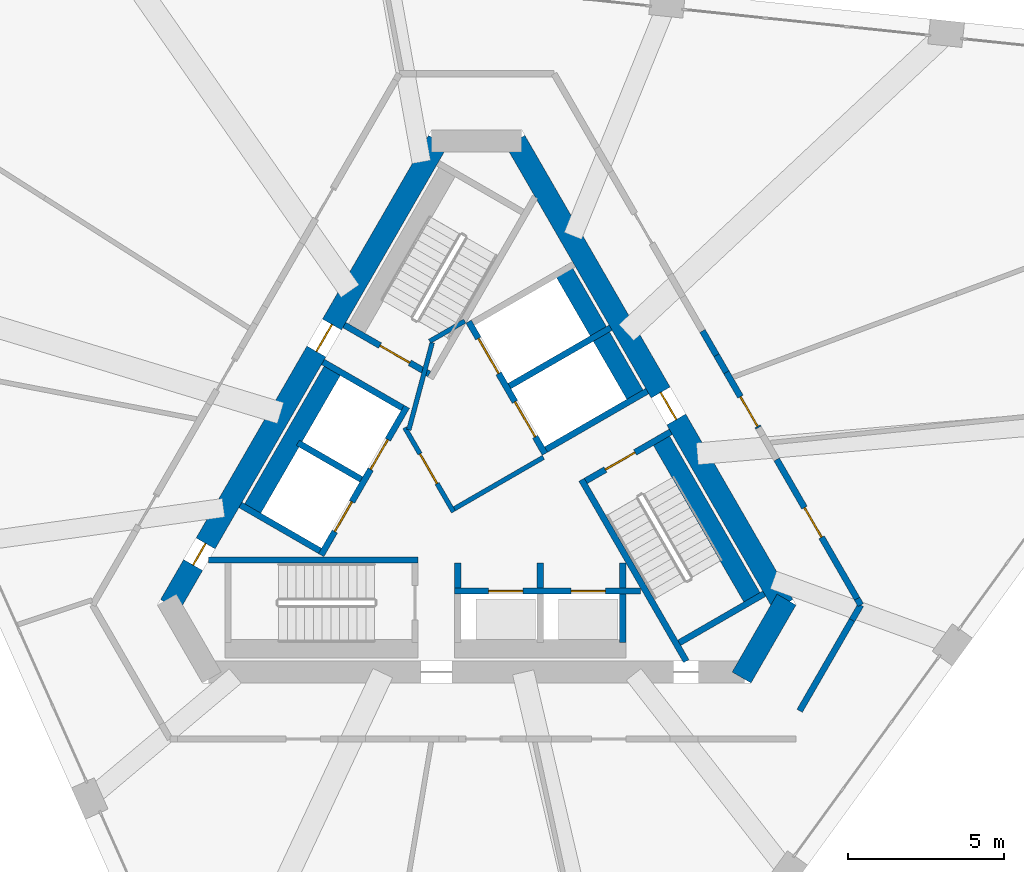
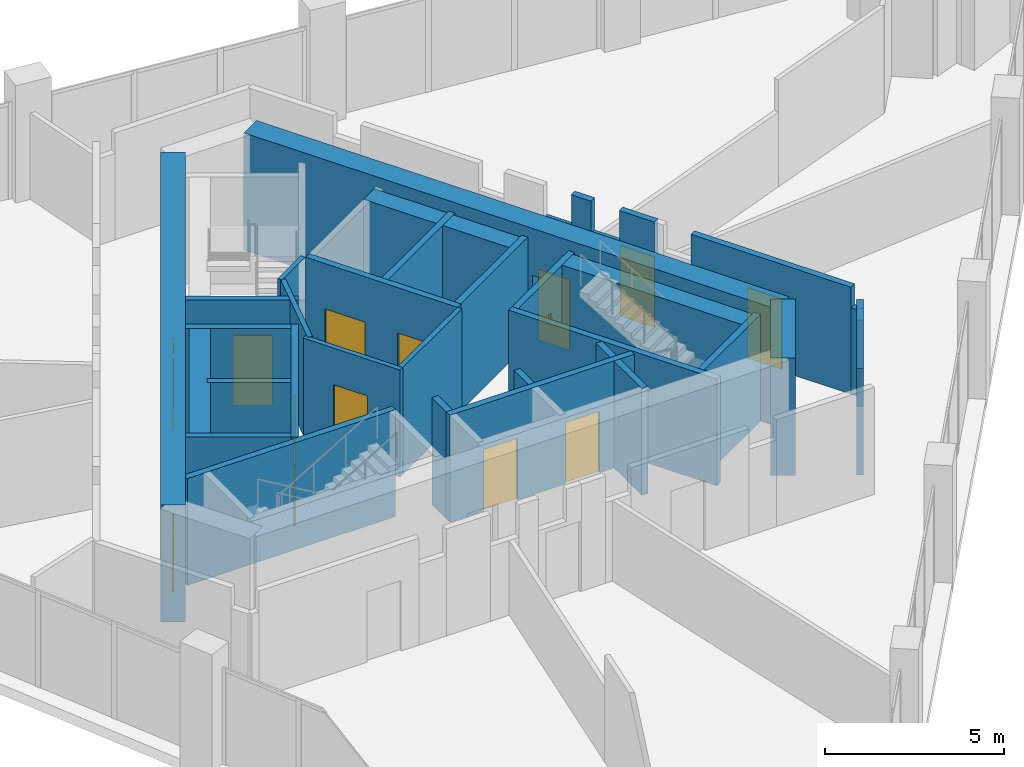
# One storey, part 9 of 15: 34 walls, 14 doors, 14 openings.
"""IFC4 building model written with IfcOpenShell, lengths in metres."""

import ifcopenshell
import ifcopenshell.guid

model = None  # the IFC model being written
_history = None  # IfcOwnerHistory: only IFC2X3 demands one
_inside = {}  # id of a spatial element -> (the spatial element, [elements in it])
_under = {}  # id of a project, library or spatial element -> (it, [spatial elements below it])
_declared = {}  # id of a project -> (the project, [libraries it declares])
_typed = {}  # id of a type object -> (the type object, [elements of that type])
_made_of = {}  # id of a material, layer set ... -> (it, [elements and type objects made of it])


def new_model(schema):
    """Start an empty IFC model of exactly this schema.

    Asked for "IFC4X3", IfcOpenShell would pick the latest addendum, in which some entities
    have other attributes; the version numbers below select the first issue.
    IFC2X3 requires an IfcOwnerHistory on every rooted entity: one is made here for all.
    """
    global model, _history
    if schema == "IFC4X3":
        model = ifcopenshell.file(schema_version=(4, 3, 0, 0))
    else:
        model = ifcopenshell.file(schema=schema)
    _inside.clear()
    _under.clear()
    _declared.clear()
    _typed.clear()
    _made_of.clear()
    _history = None
    if model.schema == "IFC2X3":
        org = make("IfcOrganization", Name="unknown")
        user = make(
            "IfcPersonAndOrganization",
            ThePerson=make("IfcPerson", FamilyName="unknown"),
            TheOrganization=org,
        )
        app = make(
            "IfcApplication",
            ApplicationDeveloper=org,
            Version="unknown",
            ApplicationFullName="unknown",
            ApplicationIdentifier="unknown",
        )
        _history = make(
            "IfcOwnerHistory",
            OwningUser=user,
            OwningApplication=app,
            ChangeAction="ADDED",
            CreationDate=0,
        )
    return model


def make(cls, **values):
    """One entity of the class cls with the attributes given. An attribute that is None is left unset."""
    return model.create_entity(
        cls, **{name: value for name, value in values.items() if value is not None}
    )


def rooted(cls, **values):
    """An entity with a GlobalId (a new one), such as an element, a storey or a relation."""
    return make(cls, GlobalId=ifcopenshell.guid.new(), OwnerHistory=_history, **values)


def si_unit(unit_type, name, prefix=None):
    """IfcSIUnit, for example si_unit("LENGTHUNIT", "METRE", prefix="MILLI")."""
    return make("IfcSIUnit", UnitType=unit_type, Prefix=prefix, Name=name)


def assignment(units):
    """IfcUnitAssignment: the units of a project."""
    return None if units is None else make("IfcUnitAssignment", Units=units)


def point(xyz):
    """IfcCartesianPoint."""
    return None if xyz is None else make("IfcCartesianPoint", Coordinates=xyz)


def direction(xyz):
    """IfcDirection."""
    return None if xyz is None else make("IfcDirection", DirectionRatios=xyz)


def frame(location, z_axis=None, x_axis=None):
    """IfcAxis2Placement3D, a coordinate frame: its origin and axes. An axis left out is left unset."""
    return make(
        "IfcAxis2Placement3D",
        Location=point(location),
        Axis=direction(z_axis),
        RefDirection=direction(x_axis),
    )


def frame_2d(location, x_axis=None):
    """IfcAxis2Placement2D, a coordinate frame in the plane: its origin and x axis."""
    return make(
        "IfcAxis2Placement2D", Location=point(location), RefDirection=direction(x_axis)
    )


def origin():
    """The frame at (0, 0, 0) with its axes left unset."""
    return frame((0.0, 0.0, 0.0))


def place(relative_to, where):
    """IfcLocalPlacement: puts the frame where relative to a parent placement (None: the world)."""
    return make(
        "IfcLocalPlacement", PlacementRelTo=relative_to, RelativePlacement=where
    )


def context(
    kind, dimensions, precision=None, world=None, true_north=None, identifier=None
):
    """IfcGeometricRepresentationContext, for example the 3D "Model" context."""
    return make(
        "IfcGeometricRepresentationContext",
        ContextIdentifier=identifier,
        ContextType=kind,
        CoordinateSpaceDimension=dimensions,
        Precision=precision,
        WorldCoordinateSystem=world,
        TrueNorth=true_north,
    )


def subcontext(parent, identifier, kind, view, scale=None):
    """IfcGeometricRepresentationSubContext, for example "Body" below "Model"."""
    return make(
        "IfcGeometricRepresentationSubContext",
        ContextIdentifier=identifier,
        ContextType=kind,
        ParentContext=parent,
        TargetScale=scale,
        TargetView=view,
    )


def project(units=None, contexts=None):
    """IfcProject with its units and contexts."""
    return rooted(
        "IfcProject",
        Name="project",
        RepresentationContexts=contexts,
        UnitsInContext=assignment(units),
    )


def spatial(cls, under=None, at=None, **own):
    """A site, building, storey or space (cls), placed at a placement, below another one or the project."""
    s = rooted(cls, ObjectPlacement=at, **own)
    if under is not None:
        _under.setdefault(under.id(), (under, []))[1].append(s)
    return s


def polyline(points):
    """IfcPolyline through the points."""
    return make("IfcPolyline", Points=[point(p) for p in points])


def profile(cls, at=None, kind="AREA", **sizes):
    """A parametric profile (cls). Its sizes go by their IFC names, for example OverallWidth=200.0."""
    return make(cls, ProfileType=kind, Position=at, **sizes)


def rectangle(**sizes):
    """IfcRectangleProfileDef."""
    return profile("IfcRectangleProfileDef", **sizes)


def outline(outer, holes=None, kind="AREA"):
    """IfcArbitraryClosedProfileDef: a profile drawn as a closed curve; with holes, ...WithVoids."""
    if holes is None:
        return make("IfcArbitraryClosedProfileDef", ProfileType=kind, OuterCurve=outer)
    return make(
        "IfcArbitraryProfileDefWithVoids",
        ProfileType=kind,
        OuterCurve=outer,
        InnerCurves=holes,
    )


def extrude(swept, where, along, depth):
    """IfcExtrudedAreaSolid: the profile swept, set in the frame where, extruded along a direction by depth."""
    return make(
        "IfcExtrudedAreaSolid",
        SweptArea=swept,
        Position=where,
        ExtrudedDirection=direction(along),
        Depth=depth,
    )


def shape(context_of_items, identifier, shape_type, items):
    """IfcShapeRepresentation: the items that make up one representation, for example the "Body"."""
    return make(
        "IfcShapeRepresentation",
        ContextOfItems=context_of_items,
        RepresentationIdentifier=identifier,
        RepresentationType=shape_type,
        Items=items,
    )


def material(Name=None, Category=None):
    """IfcMaterial."""
    return make("IfcMaterial", Name=Name, Category=Category)


def layer(
    of_material, thickness, ventilated=None, Name=None, Category=None, Priority=None
):
    """IfcMaterialLayer: one layer of a wall or slab, of a material (None: an air gap)."""
    return make(
        "IfcMaterialLayer",
        Material=of_material,
        LayerThickness=thickness,
        IsVentilated=ventilated,
        Name=Name,
        Category=Category,
        Priority=Priority,
    )


def layer_set(layers, Name=None):
    """IfcMaterialLayerSet."""
    return make("IfcMaterialLayerSet", MaterialLayers=layers, LayerSetName=Name)


def made_of(thing, what):
    """Note that an element or type object is made of a material, layer set ...; save() writes the relation."""
    if what is not None:
        _made_of.setdefault(what.id(), (what, []))[1].append(thing)
    return thing


def type_object(cls, material=None, **own):
    """A type object (cls), such as IfcWallType, which elements share."""
    return made_of(rooted(cls, **own), material)


def element(
    cls,
    number,
    at=None,
    inside=None,
    cuts=None,
    type_object=None,
    material=None,
    context=None,
    identifier="Body",
    shape_type=None,
    held_by="IfcProductDefinitionShape",
    body=None,
    shapes=None,
    **own,
):
    """One element of the class cls, such as IfcWall. Its Tag is "e" and its number.

    at: its placement. inside: the storey or other place that contains it. cuts: it is an
    opening in that element (IfcRelVoidsElement). A single representation is given by context,
    identifier, shape_type and body (its items); several are given by shapes. held_by: the class
    of the entity that holds the representations. save() writes the other relations.
    """
    e = rooted(cls, Tag="e%d" % number, ObjectPlacement=at, **own)
    if body is not None:
        shapes = [shape(context, identifier, shape_type, body)]
    if shapes is not None:
        e.Representation = make(held_by, Representations=shapes)
    if inside is not None:
        _inside.setdefault(inside.id(), (inside, []))[1].append(e)
    if cuts is not None:
        rooted(
            "IfcRelVoidsElement", RelatingBuildingElement=cuts, RelatedOpeningElement=e
        )
    if type_object is not None:
        _typed.setdefault(type_object.id(), (type_object, []))[1].append(e)
    return made_of(e, material)


def fill(opening, filler):
    """IfcRelFillsElement: the door or window that sits in an opening."""
    return rooted(
        "IfcRelFillsElement",
        RelatingOpeningElement=opening,
        RelatedBuildingElement=filler,
    )


def aggregate(whole, parts):
    """IfcRelAggregates: a whole, such as a stair, and the parts it consists of."""
    return rooted("IfcRelAggregates", RelatingObject=whole, RelatedObjects=parts)


def save(model, path):
    """Write the relations noted so far, then the file.

    IfcRelAggregates (storeys below a building ...), IfcRelContainedInSpatialStructure (elements
    in a storey), IfcRelDefinesByType, IfcRelAssociatesMaterial and IfcRelDeclares: one each for
    every whole, place, type object, material and project.
    """
    for whole, parts in _under.values():
        aggregate(whole, parts)
    for where, things in _inside.values():
        rooted(
            "IfcRelContainedInSpatialStructure",
            RelatedElements=things,
            RelatingStructure=where,
        )
    for kind, things in _typed.values():
        rooted("IfcRelDefinesByType", RelatedObjects=things, RelatingType=kind)
    for what, things in _made_of.values():
        rooted("IfcRelAssociatesMaterial", RelatedObjects=things, RelatingMaterial=what)
    for by, libraries in _declared.values():
        rooted("IfcRelDeclares", RelatingContext=by, RelatedDefinitions=libraries)
    model.write(path)


model = new_model("IFC4")

# Units and contexts
model_context = context("Model", 3, precision=1e-05, world=origin(), true_north=direction((0.0, 1.0)))
body_context = subcontext(model_context, "Body", "Model", "MODEL_VIEW")
ifc_project = project(units=[si_unit("LENGTHUNIT", "METRE"), si_unit("AREAUNIT", "SQUARE_METRE"), si_unit("VOLUMEUNIT", "CUBIC_METRE"), si_unit("PLANEANGLEUNIT", "RADIAN"), si_unit("MASSUNIT", "GRAM", prefix="KILO")], contexts=[model_context])

# Site, building, storey
site_placement = place(None, origin())
site = spatial("IfcSite", under=ifc_project, at=site_placement, CompositionType="ELEMENT")
building_placement = place(site_placement, origin())
building = spatial("IfcBuilding", under=site, at=building_placement, Name="Tramontana Tower", CompositionType="ELEMENT")
storey_placement = place(building_placement, frame((0.0, 0.0, 237.199951171875)))
storey = spatial("IfcBuildingStorey", under=building, at=storey_placement, Name="L55", CompositionType="ELEMENT", Elevation=237.199951171875)

# Wall, openings, doors
ifc_material_1 = material(Name="Concrete 70 MPa", Category="concrete")
ifc_layer_1 = layer(ifc_material_1, 0.699951171875)
ifc_layer_set_1 = layer_set([ifc_layer_1], Name="Core wall 700 70 MPa")
wall_type_1 = type_object("IfcWallType", Name="Core wall 700 70 MPa", PredefinedType="SHEAR", material=ifc_layer_set_1)
wall_1_placement = place(storey_placement, frame((-1.2412109375, 10.64990234375, 0.0), z_axis=(0.0, 0.0, 1.0), x_axis=(-0.500003331888, -0.866023480109, 0.0)))
wall_1 = element("IfcWall", 1, at=wall_1_placement, inside=storey, type_object=wall_type_1, Name="Core wall C1 L55", PredefinedType="SHEAR", context=body_context, shape_type="SweptSolid", body=[
    extrude(rectangle(XDim=17.205078125, YDim=0.699951171875, at=frame_2d((8.6025390625, 0.0))), origin(), (0.0, 0.0, 1.0), 4.0),
])
opening_1_placement = place(wall_1_placement, frame((6.8076171875, 0.0, 0.0)))
opening_1 = element("IfcOpeningElement", 2, at=opening_1_placement, cuts=wall_1, Name="Opening RG1", PredefinedType="OPENING", context=body_context, shape_type="SweptSolid", body=[
    extrude(rectangle(XDim=1.0, YDim=2.39990234375, at=frame_2d((0.5, 1.199951171875))), frame((0.0, 0.35986328125, 0.0), z_axis=(0.0, -1.0, 0.0), x_axis=(1.0, 0.0, 0.0)), (0.0, 0.0, 1.0), 0.719970703125),
])
opening_2_placement = place(wall_1_placement, frame((14.921630859375, 0.0, 0.0)))
opening_2 = element("IfcOpeningElement", 3, at=opening_2_placement, cuts=wall_1, Name="Opening PD1", PredefinedType="OPENING", context=body_context, shape_type="SweptSolid", body=[
    extrude(rectangle(XDim=0.800048828125, YDim=2.10009765625, at=frame_2d((0.39990234375, 1.050048828125))), frame((0.0, 0.35986328125, 0.0), z_axis=(0.0, -1.0, 0.0), x_axis=(1.0, 0.0, 0.0)), (0.0, 0.0, 1.0), 0.719970703125),
])
ifc_material_2 = material(Name="Painted steel", Category="steel")
door_type_1 = type_object("IfcDoorType", Name="CUPBOARD DOOR 800", OperationType="SINGLE_SWING_LEFT", PredefinedType="DOOR", material=ifc_material_2)
door_1_placement = place(opening_2_placement, origin())
door_1 = element("IfcDoor", 4, at=door_1_placement, inside=storey, type_object=door_type_1, Name="Door PD1", OperationType="SINGLE_SWING_LEFT", OverallHeight=2.10009765625, OverallWidth=0.800048828125, PredefinedType="DOOR", context=body_context, shape_type="SweptSolid", body=[
    extrude(rectangle(XDim=0.800048828125, YDim=2.10009765625, at=frame_2d((0.39990234375, 1.050048828125))), frame((0.0, 0.02490234375, 0.0), z_axis=(0.0, -1.0, 0.0), x_axis=(1.0, 0.0, 0.0)), (0.0, 0.0, 1.0), 0.050048828125),
])
fill(opening_2, door_1)
ifc_material_3 = material(Name="Painted steel", Category="steel")
door_type_2 = type_object("IfcDoorType", Name="RING DOOR 1000", OperationType="SINGLE_SWING_LEFT", PredefinedType="DOOR", material=ifc_material_3)
door_2_placement = place(opening_1_placement, origin())
door_2 = element("IfcDoor", 5, at=door_2_placement, inside=storey, type_object=door_type_2, Name="Door RG1", OperationType="SINGLE_SWING_RIGHT", OverallHeight=2.39990234375, OverallWidth=1.0, PredefinedType="DOOR", context=body_context, shape_type="SweptSolid", body=[
    extrude(rectangle(XDim=1.0, YDim=2.39990234375, at=frame_2d((0.5, 1.199951171875))), frame((0.0, 0.02490234375, 0.0), z_axis=(0.0, -1.0, 0.0), x_axis=(1.0, 0.0, 0.0)), (0.0, 0.0, 1.0), 0.050048828125),
])
fill(opening_1, door_2)

# Wall
wall_2_placement = place(storey_placement, frame((8.50146484375, -6.574951171875, 0.0), z_axis=(0.0, 0.0, 1.0), x_axis=(0.499995765644, 0.866027848477, 0.0)))
element("IfcWall", 6, at=wall_2_placement, inside=storey, type_object=wall_type_1, Name="Core wall C4 L55", PredefinedType="SHEAR", context=body_context, shape_type="SweptSolid", body=[
    extrude(rectangle(XDim=2.88671875, YDim=0.699951171875, at=frame_2d((1.443359375, 0.0))), origin(), (0.0, 0.0, 1.0), 4.0),
])

# Wall, opening, door
wall_3_placement = place(storey_placement, frame((9.84375, -4.25, 0.0), z_axis=(0.0, 0.0, 1.0), x_axis=(-0.500003331888, 0.866023480109, 0.0)))
wall_3 = element("IfcWall", 7, at=wall_3_placement, inside=storey, type_object=wall_type_1, Name="Core wall C5 L55", PredefinedType="SHEAR", context=body_context, shape_type="SweptSolid", body=[
    extrude(rectangle(XDim=17.205078125, YDim=0.699951171875, at=frame_2d((8.6025390625, 0.0))), origin(), (0.0, 0.0, 1.0), 4.0),
])
opening_3_placement = place(wall_3_placement, frame((6.87744140625, 0.0, 0.0)))
opening_3 = element("IfcOpeningElement", 8, at=opening_3_placement, cuts=wall_3, Name="Opening RG3", PredefinedType="OPENING", context=body_context, shape_type="SweptSolid", body=[
    extrude(rectangle(XDim=1.0, YDim=2.39990234375, at=frame_2d((0.5, 1.199951171875))), frame((0.0, 0.35986328125, 0.0), z_axis=(0.0, -1.0, 0.0), x_axis=(1.0, 0.0, 0.0)), (0.0, 0.0, 1.0), 0.719970703125),
])
door_3_placement = place(opening_3_placement, origin())
door_3 = element("IfcDoor", 9, at=door_3_placement, inside=storey, type_object=door_type_2, Name="Door RG3", OperationType="SINGLE_SWING_RIGHT", OverallHeight=2.39990234375, OverallWidth=1.0, PredefinedType="DOOR", context=body_context, shape_type="SweptSolid", body=[
    extrude(rectangle(XDim=1.0, YDim=2.39990234375, at=frame_2d((0.5, 1.199951171875))), frame((0.0, 0.02490234375, 0.0), z_axis=(0.0, -1.0, 0.0), x_axis=(1.0, 0.0, 0.0)), (0.0, 0.0, 1.0), 0.050048828125),
])
fill(opening_3, door_3)

# Walls
ifc_material_4 = material(Name="Blockwork", Category="masonry")
ifc_layer_2 = layer(ifc_material_4, 0.199951171875)
ifc_layer_set_2 = layer_set([ifc_layer_2], Name="ENTRY WALL 200")
wall_type_2 = type_object("IfcWallType", Name="ENTRY WALL 200", PredefinedType="SOLIDWALL", material=ifc_layer_set_2)
wall_4_placement = place(storey_placement, frame((12.326416015625, -4.25, 0.0), z_axis=(0.0, 0.0, 1.0), x_axis=(-0.500000383388, -0.866025182435, 0.0)))
element("IfcWall", 10, at=wall_4_placement, inside=storey, type_object=wall_type_2, Name="Wall ew0-0", PredefinedType="SOLIDWALL", context=body_context, shape_type="SweptSolid", body=[
    extrude(rectangle(XDim=0.5576171875, YDim=0.199951171875, at=frame_2d((0.27880859375, 0.0))), origin(), (0.0, 0.0, 1.0), 2.949951171875),
])
wall_5_placement = place(storey_placement, frame((12.047607421875, -4.73291015625, 0.0), z_axis=(0.0, 0.0, 1.0), x_axis=(-0.500005339912, -0.866022320763, 0.0)))
element("IfcWall", 11, at=wall_5_placement, inside=storey, type_object=wall_type_2, Name="Wall ew0-1", PredefinedType="SOLIDWALL", context=body_context, shape_type="SweptSolid", body=[
    extrude(rectangle(XDim=3.36181640625, YDim=0.199951171875, at=frame_2d((1.680908203125, 0.0))), origin(), (0.0, 0.0, 1.0), 3.650146484375),
])
wall_6_placement = place(storey_placement, frame((7.2470703125, 4.547607421875, 0.0), z_axis=(0.0, 0.0, 1.0), x_axis=(0.499902469156, -0.866081705922, 0.0)))
element("IfcWall", 12, at=wall_6_placement, inside=storey, type_object=wall_type_2, Name="Wall ew5-5", PredefinedType="SOLIDWALL", context=body_context, shape_type="SweptSolid", body=[
    extrude(rectangle(XDim=0.900146484375, YDim=0.199951171875, at=frame_2d((0.4501953125, 0.0))), origin(), (0.0, 0.0, 1.0), 2.550048828125),
])
wall_7_placement = place(storey_placement, frame((7.697021484375, 3.76806640625, 0.0), z_axis=(0.0, 0.0, 1.0), x_axis=(0.50012328804, -0.865954211699, 0.0)))
element("IfcWall", 13, at=wall_7_placement, inside=storey, type_object=wall_type_2, Name="Wall ew5-6", PredefinedType="SOLIDWALL", context=body_context, shape_type="SweptSolid", body=[
    extrude(rectangle(XDim=0.632568359375, YDim=0.199951171875, at=frame_2d((0.31640625, 0.0))), origin(), (0.0, 0.0, 1.0), 3.650146484375),
])

# Wall, opening, door
wall_8_placement = place(storey_placement, frame((8.013427734375, 3.22021484375, 0.0), z_axis=(0.0, 0.0, 1.0), x_axis=(0.500014089762, -0.866017268904, 0.0)))
wall_8 = element("IfcWall", 14, at=wall_8_placement, inside=storey, type_object=wall_type_2, Name="Wall ew5-7", PredefinedType="SOLIDWALL", context=body_context, shape_type="SweptSolid", body=[
    extrude(outline(polyline([(0.0, 0.0), (2.05322265625, 0.0), (2.05322265625, 3.650146484375), (0.917236328125, 3.650146484375), (0.917236328125, 2.550048828125), (0.0, 2.550048828125), (0.0, 0.0)])), frame((0.0, 0.10009765625, 0.0), z_axis=(0.0, -1.0, 0.0), x_axis=(1.0, 0.0, 0.0)), (0.0, 0.0, 1.0), 0.199951171875),
])
opening_4_placement = place(wall_8_placement, frame((0.903076171875, 0.0, 0.0)))
opening_4 = element("IfcOpeningElement", 15, at=opening_4_placement, cuts=wall_8, Name="Opening L55-09", PredefinedType="OPENING", context=body_context, shape_type="SweptSolid", body=[
    extrude(rectangle(XDim=1.10009765625, YDim=2.39990234375, at=frame_2d((0.550048828125, 1.199951171875))), frame((0.0, 0.10986328125, 0.0), z_axis=(0.0, -1.0, 0.0), x_axis=(1.0, 0.0, 0.0)), (0.0, 0.0, 1.0), 0.219970703125),
])
ifc_material_5 = material(Name="Painted timber", Category="wood")
door_type_3 = type_object("IfcDoorType", Name="DOOR ENTRY 1100", OperationType="SINGLE_SWING_LEFT", PredefinedType="DOOR", material=ifc_material_5)
door_4_placement = place(opening_4_placement, origin())
door_4 = element("IfcDoor", 16, at=door_4_placement, inside=storey, type_object=door_type_3, Name="Door L55-09", OperationType="SINGLE_SWING_LEFT", OverallHeight=2.39990234375, OverallWidth=1.10009765625, PredefinedType="DOOR", context=body_context, shape_type="SweptSolid", body=[
    extrude(rectangle(XDim=1.10009765625, YDim=2.39990234375, at=frame_2d((0.550048828125, 1.199951171875))), frame((0.0, 0.02490234375, 0.0), z_axis=(0.0, -1.0, 0.0), x_axis=(1.0, 0.0, 0.0)), (0.0, 0.0, 1.0), 0.050048828125),
])
fill(opening_4, door_4)

wall_9_placement = place(storey_placement, frame((9.628662109375, 0.4228515625, 0.0), z_axis=(0.0, 0.0, 1.0), x_axis=(0.499995433041, -0.866028040503, 0.0)))
wall_9 = element("IfcWall", 17, at=wall_9_placement, inside=storey, type_object=wall_type_2, Name="Wall ew5-10", PredefinedType="SOLIDWALL", context=body_context, shape_type="SweptSolid", body=[
    extrude(rectangle(XDim=5.1611328125, YDim=0.199951171875, at=frame_2d((2.58056640625, 0.0))), origin(), (0.0, 0.0, 1.0), 3.650146484375),
])
opening_5_placement = place(wall_9_placement, frame((1.784912109375, 0.0, 0.0)))
opening_5 = element("IfcOpeningElement", 18, at=opening_5_placement, cuts=wall_9, Name="Opening L55-08", PredefinedType="OPENING", context=body_context, shape_type="SweptSolid", body=[
    extrude(rectangle(XDim=1.10009765625, YDim=2.39990234375, at=frame_2d((0.550048828125, 1.199951171875))), frame((0.0, 0.10986328125, 0.0), z_axis=(0.0, -1.0, 0.0), x_axis=(1.0, 0.0, 0.0)), (0.0, 0.0, 1.0), 0.219970703125),
])
door_5_placement = place(opening_5_placement, origin())
door_5 = element("IfcDoor", 19, at=door_5_placement, inside=storey, type_object=door_type_3, Name="Door L55-08", OperationType="SINGLE_SWING_RIGHT", OverallHeight=2.39990234375, OverallWidth=1.10009765625, PredefinedType="DOOR", context=body_context, shape_type="SweptSolid", body=[
    extrude(rectangle(XDim=1.10009765625, YDim=2.39990234375, at=frame_2d((0.550048828125, 1.199951171875))), frame((0.0, 0.02490234375, 0.0), z_axis=(0.0, -1.0, 0.0), x_axis=(1.0, 0.0, 0.0)), (0.0, 0.0, 1.0), 0.050048828125),
])
fill(opening_5, door_5)

# Wall
wall_10_placement = place(storey_placement, frame((12.209228515625, -4.046875, 0.0), z_axis=(0.0, 0.0, 1.0), x_axis=(0.49972245349, -0.866185586049, 0.0)))
element("IfcWall", 20, at=wall_10_placement, inside=storey, type_object=wall_type_2, Name="Wall ew5-11", PredefinedType="SOLIDWALL", context=body_context, shape_type="SweptSolid", body=[
    extrude(rectangle(XDim=0.234619140625, YDim=0.199951171875, at=frame_2d((0.1171875, 0.0))), origin(), (0.0, 0.0, 1.0), 2.949951171875),
])

# Wall, opening, door
ifc_material_6 = material(Name="Gypsum board partition")
ifc_layer_3 = layer(ifc_material_6, 0.14990234375)
ifc_layer_set_3 = layer_set([ifc_layer_3], Name="PARTITION 150")
wall_type_3 = type_object("IfcWallType", Name="PARTITION 150", PredefinedType="PARTITIONING", material=ifc_layer_set_3)
wall_11_placement = place(storey_placement, frame((-0.744140625, -1.260986328125, 0.0), z_axis=(0.0, 0.0, 1.0), x_axis=(-0.500004234368, 0.866022959057, 0.0)))
wall_11 = element("IfcWall", 21, at=wall_11_placement, inside=storey, type_object=wall_type_3, Name="Wall ff-front", PredefinedType="PARTITIONING", context=body_context, shape_type="SweptSolid", body=[
    extrude(rectangle(XDim=3.125, YDim=0.14990234375, at=frame_2d((1.5625, 0.0))), origin(), (0.0, 0.0, 1.0), 3.650146484375),
])
opening_6_placement = place(wall_11_placement, frame((1.050048828125, 0.0, 0.0)))
opening_6 = element("IfcOpeningElement", 22, at=opening_6_placement, cuts=wall_11, Name="Opening FD1", PredefinedType="OPENING", context=body_context, shape_type="SweptSolid", body=[
    extrude(rectangle(XDim=1.10009765625, YDim=2.39990234375, at=frame_2d((0.550048828125, 1.199951171875))), frame((0.0, 0.0849609375, 0.0), z_axis=(0.0, -1.0, 0.0), x_axis=(1.0, 0.0, 0.0)), (0.0, 0.0, 1.0), 0.169921875),
])
door_6_placement = place(opening_6_placement, origin())
door_6 = element("IfcDoor", 23, at=door_6_placement, inside=storey, type_object=door_type_3, Name="Door FD1", OperationType="SINGLE_SWING_LEFT", OverallHeight=2.39990234375, OverallWidth=1.10009765625, PredefinedType="DOOR", context=body_context, shape_type="SweptSolid", body=[
    extrude(rectangle(XDim=1.10009765625, YDim=2.39990234375, at=frame_2d((0.550048828125, 1.199951171875))), frame((0.0, 0.02490234375, 0.0), z_axis=(0.0, -1.0, 0.0), x_axis=(1.0, 0.0, 0.0)), (0.0, 0.0, 1.0), 0.050048828125),
])
fill(opening_6, door_6)

# Walls
wall_12_placement = place(storey_placement, frame((-0.716796875, -1.15869140625, 0.0), z_axis=(0.0, 0.0, 1.0), x_axis=(0.866008176907, 0.50002983664, 0.0)))
element("IfcWall", 24, at=wall_12_placement, inside=storey, type_object=wall_type_3, Name="Wall ff-end0", PredefinedType="PARTITIONING", context=body_context, shape_type="SweptSolid", body=[
    extrude(rectangle(XDim=3.300048828125, YDim=0.14990234375, at=frame_2d((1.64990234375, 0.0))), origin(), (0.0, 0.0, 1.0), 3.650146484375),
])
wall_13_placement = place(storey_placement, frame((-2.177978515625, 1.372314453125, 0.0), z_axis=(0.0, 0.0, 1.0), x_axis=(0.258808958833, 0.96592852884, 0.0)))
element("IfcWall", 25, at=wall_13_placement, inside=storey, type_object=wall_type_3, Name="Wall ff-diag", PredefinedType="PARTITIONING", context=body_context, shape_type="SweptSolid", body=[
    extrude(rectangle(XDim=2.902587890625, YDim=0.14990234375, at=frame_2d((1.451171875, 0.0))), origin(), (0.0, 0.0, 1.0), 3.650146484375),
])
wall_14_placement = place(storey_placement, frame((-1.509765625, 4.21484375, 0.0), z_axis=(0.0, 0.0, 1.0), x_axis=(0.866085525409, 0.49989585183, 0.0)))
element("IfcWall", 26, at=wall_14_placement, inside=storey, type_object=wall_type_3, Name="Wall ff-end1", PredefinedType="PARTITIONING", context=body_context, shape_type="SweptSolid", body=[
    extrude(rectangle(XDim=1.300048828125, YDim=0.14990234375, at=frame_2d((0.64990234375, 0.0))), origin(), (0.0, 0.0, 1.0), 3.650146484375),
])
ifc_material_7 = material(Name="Concrete 70 MPa", Category="concrete")
ifc_layer_4 = layer(ifc_material_7, 0.60009765625)
ifc_layer_set_4 = layer_set([ifc_layer_4], Name="Concrete 70 MPa, 600 mm")
wall_type_4 = type_object("IfcWallType", Name="RC SHAFT BACK WALL 600", PredefinedType="SOLIDWALL", material=ifc_layer_set_4)
wall_15_placement = place(storey_placement, frame((8.93310546875, -4.17236328125, 0.0), z_axis=(0.0, 0.0, 1.0), x_axis=(-0.500026960575, 0.86600983753, 0.0)))
element("IfcWall", 27, at=wall_15_placement, inside=storey, type_object=wall_type_4, Name="Wall st3-back", PredefinedType="SOLIDWALL", context=body_context, shape_type="SweptSolid", body=[
    extrude(rectangle(XDim=6.199951171875, YDim=0.60009765625, at=frame_2d((3.10009765625, 0.0))), origin(), (0.0, 0.0, 1.0), 3.650146484375),
])
wall_16_placement = place(storey_placement, frame((-4.5380859375, 3.43994140625, 0.0), z_axis=(0.0, 0.0, 1.0), x_axis=(-0.499996545922, -0.866027397988, 0.0)))
element("IfcWall", 28, at=wall_16_placement, inside=storey, type_object=wall_type_4, Name="Wall row0-back", PredefinedType="SOLIDWALL", context=body_context, shape_type="SweptSolid", body=[
    extrude(rectangle(XDim=5.5, YDim=0.60009765625, at=frame_2d((2.75, 0.0))), origin(), (0.0, 0.0, 1.0), 3.650146484375),
])
wall_17_placement = place(storey_placement, frame((5.177978515625, 2.331298828125, 0.0), z_axis=(0.0, 0.0, 1.0), x_axis=(-0.49998122708, 0.866036242063, 0.0)))
element("IfcWall", 29, at=wall_17_placement, inside=storey, type_object=wall_type_4, Name="Wall row2-back", PredefinedType="SOLIDWALL", context=body_context, shape_type="SweptSolid", body=[
    extrude(rectangle(XDim=4.900146484375, YDim=0.60009765625, at=frame_2d((2.4501953125, 0.0))), origin(), (0.0, 0.0, 1.0), 3.650146484375),
])

# Wall, opening, door
ifc_material_8 = material(Name="Concrete 70 MPa", Category="concrete")
ifc_layer_5 = layer(ifc_material_8, 0.199951171875)
ifc_layer_set_5 = layer_set([ifc_layer_5], Name="Concrete 70 MPa, 200 mm")
wall_type_5 = type_object("IfcWallType", Name="RC STAIR AND SHAFT WALL 200", PredefinedType="SOLIDWALL", material=ifc_layer_set_5)
wall_18_placement = place(storey_placement, frame((-1.521484375, 3.164794921875, 0.0), z_axis=(0.0, 0.0, 1.0), x_axis=(-0.866035871367, 0.499981869177, 0.0)))
wall_18 = element("IfcWall", 30, at=wall_18_placement, inside=storey, type_object=wall_type_5, Name="Wall st1-near", PredefinedType="SOLIDWALL", context=body_context, shape_type="SweptSolid", body=[
    extrude(rectangle(XDim=3.14990234375, YDim=0.199951171875, at=frame_2d((1.574951171875, 0.0))), origin(), (0.0, 0.0, 1.0), 3.650146484375),
])
opening_7_placement = place(wall_18_placement, frame((0.72509765625, 0.0, 0.0)))
opening_7 = element("IfcOpeningElement", 31, at=opening_7_placement, cuts=wall_18, Name="Opening SD1", PredefinedType="OPENING", context=body_context, shape_type="SweptSolid", body=[
    extrude(rectangle(XDim=1.10009765625, YDim=2.39990234375, at=frame_2d((0.550048828125, 1.199951171875))), frame((0.0, 0.10986328125, 0.0), z_axis=(0.0, -1.0, 0.0), x_axis=(1.0, 0.0, 0.0)), (0.0, 0.0, 1.0), 0.219970703125),
])
ifc_material_9 = material(Name="Painted steel", Category="steel")
door_type_4 = type_object("IfcDoorType", Name="STAIR DOOR 1100", OperationType="SINGLE_SWING_LEFT", PredefinedType="DOOR", material=ifc_material_9)
door_7_placement = place(opening_7_placement, origin())
door_7 = element("IfcDoor", 32, at=door_7_placement, inside=storey, type_object=door_type_4, Name="Door SD1", OperationType="SINGLE_SWING_RIGHT", OverallHeight=2.39990234375, OverallWidth=1.10009765625, PredefinedType="DOOR", context=body_context, shape_type="SweptSolid", body=[
    extrude(rectangle(XDim=1.10009765625, YDim=2.39990234375, at=frame_2d((0.550048828125, 1.199951171875))), frame((0.0, 0.02490234375, 0.0), z_axis=(0.0, -1.0, 0.0), x_axis=(1.0, 0.0, 0.0)), (0.0, 0.0, 1.0), 0.050048828125),
])
fill(opening_7, door_7)

# Walls
for number, where, z_axis, x_axis, name in (
    (33, (-8.6025390625, -2.800048828125, 0.0), (0.0, 0.0, 1.0), (1.0, 0.0, 0.0), "Wall st2-front"),
    (34, (6.72607421875, -6.050048828125, 0.0), (0.0, 0.0, 1.0), (-0.499970804718, 0.866042259032, 0.0), "Wall st3-front"),
):
    element("IfcWall", number, at=place(storey_placement, frame(where, z_axis=z_axis, x_axis=x_axis)), inside=storey, type_object=wall_type_5, Name=name, PredefinedType="SOLIDWALL", context=body_context, shape_type="SweptSolid", body=[
        extrude(rectangle(XDim=6.72265625, YDim=0.199951171875, at=frame_2d((3.361328125, 0.0))), origin(), (0.0, 0.0, 1.0), 3.650146484375),
    ])
wall_19_placement = place(storey_placement, frame((6.50146484375, -5.4609375, 0.0), z_axis=(0.0, 0.0, 1.0), x_axis=(0.866035871367, 0.499981869177, 0.0)))
element("IfcWall", 35, at=wall_19_placement, inside=storey, type_object=wall_type_5, Name="Wall st3-far", PredefinedType="SOLIDWALL", context=body_context, shape_type="SweptSolid", body=[
    extrude(rectangle(XDim=3.14990234375, YDim=0.199951171875, at=frame_2d((1.574951171875, 0.0))), origin(), (0.0, 0.0, 1.0), 3.650146484375),
])

# Wall, opening, door
wall_20_placement = place(storey_placement, frame((3.50146484375, -0.2646484375, 0.0), z_axis=(0.0, 0.0, 1.0), x_axis=(0.866035871367, 0.499981869177, 0.0)))
wall_20 = element("IfcWall", 36, at=wall_20_placement, inside=storey, type_object=wall_type_5, Name="Wall st3-near", PredefinedType="SOLIDWALL", context=body_context, shape_type="SweptSolid", body=[
    extrude(rectangle(XDim=3.14990234375, YDim=0.199951171875, at=frame_2d((1.574951171875, 0.0))), origin(), (0.0, 0.0, 1.0), 3.650146484375),
])
opening_8_placement = place(wall_20_placement, frame((0.72509765625, 0.0, 0.0)))
opening_8 = element("IfcOpeningElement", 37, at=opening_8_placement, cuts=wall_20, Name="Opening SD3", PredefinedType="OPENING", context=body_context, shape_type="SweptSolid", body=[
    extrude(rectangle(XDim=1.10009765625, YDim=2.39990234375, at=frame_2d((0.550048828125, 1.199951171875))), frame((0.0, 0.10986328125, 0.0), z_axis=(0.0, -1.0, 0.0), x_axis=(1.0, 0.0, 0.0)), (0.0, 0.0, 1.0), 0.219970703125),
])
door_8_placement = place(opening_8_placement, origin())
door_8 = element("IfcDoor", 38, at=door_8_placement, inside=storey, type_object=door_type_4, Name="Door SD3", OperationType="SINGLE_SWING_RIGHT", OverallHeight=2.39990234375, OverallWidth=1.10009765625, PredefinedType="DOOR", context=body_context, shape_type="SweptSolid", body=[
    extrude(rectangle(XDim=1.10009765625, YDim=2.39990234375, at=frame_2d((0.550048828125, 1.199951171875))), frame((0.0, 0.02490234375, 0.0), z_axis=(0.0, -1.0, 0.0), x_axis=(1.0, 0.0, 0.0)), (0.0, 0.0, 1.0), 0.050048828125),
])
fill(opening_8, door_8)

# Wall, openings, doors
wall_21_placement = place(storey_placement, frame((-2.2431640625, 2.114990234375, 0.0), z_axis=(0.0, 0.0, 1.0), x_axis=(-0.499996545922, -0.866027397988, 0.0)))
wall_21 = element("IfcWall", 39, at=wall_21_placement, inside=storey, type_object=wall_type_5, Name="Wall row0-front", PredefinedType="SOLIDWALL", context=body_context, shape_type="SweptSolid", body=[
    extrude(rectangle(XDim=5.5, YDim=0.199951171875, at=frame_2d((2.75, 0.0))), origin(), (0.0, 0.0, 1.0), 3.650146484375),
])
opening_9_placement = place(wall_21_placement, frame((1.219970703125, 0.0, 0.0)))
opening_9 = element("IfcOpeningElement", 40, at=opening_9_placement, cuts=wall_21, Name="Opening LD-P1", PredefinedType="OPENING", context=body_context, shape_type="SweptSolid", body=[
    extrude(rectangle(XDim=1.10009765625, YDim=2.10009765625, at=frame_2d((0.550048828125, 1.050048828125))), frame((0.0, 0.10986328125, 0.0), z_axis=(0.0, -1.0, 0.0), x_axis=(1.0, 0.0, 0.0)), (0.0, 0.0, 1.0), 0.219970703125),
])
opening_10_placement = place(wall_21_placement, frame((3.52490234375, 0.0, 0.0)))
opening_10 = element("IfcOpeningElement", 41, at=opening_10_placement, cuts=wall_21, Name="Opening LD-P2", PredefinedType="OPENING", context=body_context, shape_type="SweptSolid", body=[
    extrude(rectangle(XDim=1.10009765625, YDim=2.10009765625, at=frame_2d((0.550048828125, 1.050048828125))), frame((0.0, 0.10986328125, 0.0), z_axis=(0.0, -1.0, 0.0), x_axis=(1.0, 0.0, 0.0)), (0.0, 0.0, 1.0), 0.219970703125),
])
ifc_material_10 = material(Name="Brushed steel", Category="steel")
door_type_5 = type_object("IfcDoorType", Name="LANDING DOOR 1100", OperationType="SINGLE_SWING_LEFT", PredefinedType="DOOR", material=ifc_material_10)
door_9_placement = place(opening_9_placement, origin())
door_9 = element("IfcDoor", 42, at=door_9_placement, inside=storey, type_object=door_type_5, Name="Door LD-P1", OperationType="SLIDING_TO_LEFT", OverallHeight=2.10009765625, OverallWidth=1.10009765625, PredefinedType="DOOR", context=body_context, shape_type="SweptSolid", body=[
    extrude(rectangle(XDim=1.10009765625, YDim=2.10009765625, at=frame_2d((0.550048828125, 1.050048828125))), frame((0.0, 0.02490234375, 0.0), z_axis=(0.0, -1.0, 0.0), x_axis=(1.0, 0.0, 0.0)), (0.0, 0.0, 1.0), 0.050048828125),
])
fill(opening_9, door_9)
door_10_placement = place(opening_10_placement, origin())
door_10 = element("IfcDoor", 43, at=door_10_placement, inside=storey, type_object=door_type_5, Name="Door LD-P2", OperationType="SLIDING_TO_RIGHT", OverallHeight=2.10009765625, OverallWidth=1.10009765625, PredefinedType="DOOR", context=body_context, shape_type="SweptSolid", body=[
    extrude(rectangle(XDim=1.10009765625, YDim=2.10009765625, at=frame_2d((0.550048828125, 1.050048828125))), frame((0.0, 0.02490234375, 0.0), z_axis=(0.0, -1.0, 0.0), x_axis=(1.0, 0.0, 0.0)), (0.0, 0.0, 1.0), 0.050048828125),
])
fill(opening_10, door_10)

# Walls
wall_22_placement = place(storey_placement, frame((-2.379638671875, 2.078369140625, 0.0), z_axis=(0.0, 0.0, 1.0), x_axis=(-0.866060182126, 0.499939757307, 0.0)))
element("IfcWall", 44, at=wall_22_placement, inside=storey, type_object=wall_type_5, Name="Wall row0-side0", PredefinedType="SOLIDWALL", context=body_context, shape_type="SweptSolid", body=[
    extrude(rectangle(XDim=2.949951171875, YDim=0.199951171875, at=frame_2d((1.47509765625, 0.0))), origin(), (0.0, 0.0, 1.0), 3.650146484375),
])
wall_23_placement = place(storey_placement, frame((-3.70458984375, -0.216796875, 0.0), z_axis=(0.0, 0.0, 1.0), x_axis=(-0.866016039709, 0.500016218704, 0.0)))
element("IfcWall", 45, at=wall_23_placement, inside=storey, type_object=wall_type_5, Name="Wall row0-side1", PredefinedType="SOLIDWALL", context=body_context, shape_type="SweptSolid", body=[
    extrude(rectangle(XDim=2.35009765625, YDim=0.199951171875, at=frame_2d((1.175048828125, 0.0))), origin(), (0.0, 0.0, 1.0), 3.650146484375),
])
wall_24_placement = place(storey_placement, frame((-5.02978515625, -2.51171875, 0.0), z_axis=(0.0, 0.0, 1.0), x_axis=(-0.866003658127, 0.500037662692, 0.0)))
element("IfcWall", 46, at=wall_24_placement, inside=storey, type_object=wall_type_5, Name="Wall row0-side2", PredefinedType="SOLIDWALL", context=body_context, shape_type="SweptSolid", body=[
    extrude(rectangle(XDim=2.949951171875, YDim=0.199951171875, at=frame_2d((1.47509765625, 0.0))), origin(), (0.0, 0.0, 1.0), 3.650146484375),
])

# Wall, openings, doors
wall_25_placement = place(storey_placement, frame((-0.7099609375, -3.800048828125, 0.0), z_axis=(0.0, 0.0, 1.0), x_axis=(1.0, 0.0, 0.0)))
wall_25 = element("IfcWall", 47, at=wall_25_placement, inside=storey, type_object=wall_type_5, Name="Wall row1-front", PredefinedType="SOLIDWALL", context=body_context, shape_type="SweptSolid", body=[
    extrude(rectangle(XDim=5.96142578125, YDim=0.199951171875, at=frame_2d((2.980712890625, 0.0))), origin(), (0.0, 0.0, 1.0), 3.650146484375),
])
opening_11_placement = place(wall_25_placement, frame((1.090087890625, 0.0, 0.0)))
opening_11 = element("IfcOpeningElement", 48, at=opening_11_placement, cuts=wall_25, Name="Opening LD-S1", PredefinedType="OPENING", context=body_context, shape_type="SweptSolid", body=[
    extrude(rectangle(XDim=1.10009765625, YDim=2.10009765625, at=frame_2d((0.550048828125, 1.050048828125))), frame((0.0, 0.10986328125, 0.0), z_axis=(0.0, -1.0, 0.0), x_axis=(1.0, 0.0, 0.0)), (0.0, 0.0, 1.0), 0.219970703125),
])
opening_12_placement = place(wall_25_placement, frame((3.739990234375, 0.0, 0.0)))
opening_12 = element("IfcOpeningElement", 49, at=opening_12_placement, cuts=wall_25, Name="Opening LD-S2", PredefinedType="OPENING", context=body_context, shape_type="SweptSolid", body=[
    extrude(rectangle(XDim=1.10009765625, YDim=2.10009765625, at=frame_2d((0.550048828125, 1.050048828125))), frame((0.0, 0.10986328125, 0.0), z_axis=(0.0, -1.0, 0.0), x_axis=(1.0, 0.0, 0.0)), (0.0, 0.0, 1.0), 0.219970703125),
])
door_11_placement = place(opening_11_placement, origin())
door_11 = element("IfcDoor", 50, at=door_11_placement, inside=storey, type_object=door_type_5, Name="Door LD-S1", OperationType="SLIDING_TO_LEFT", OverallHeight=2.10009765625, OverallWidth=1.10009765625, PredefinedType="DOOR", context=body_context, shape_type="SweptSolid", body=[
    extrude(rectangle(XDim=1.10009765625, YDim=2.10009765625, at=frame_2d((0.550048828125, 1.050048828125))), frame((0.0, 0.02490234375, 0.0), z_axis=(0.0, -1.0, 0.0), x_axis=(1.0, 0.0, 0.0)), (0.0, 0.0, 1.0), 0.050048828125),
])
fill(opening_11, door_11)
door_12_placement = place(opening_12_placement, origin())
door_12 = element("IfcDoor", 51, at=door_12_placement, inside=storey, type_object=door_type_5, Name="Door LD-S2", OperationType="SLIDING_TO_RIGHT", OverallHeight=2.10009765625, OverallWidth=1.10009765625, PredefinedType="DOOR", context=body_context, shape_type="SweptSolid", body=[
    extrude(rectangle(XDim=1.10009765625, YDim=2.10009765625, at=frame_2d((0.550048828125, 1.050048828125))), frame((0.0, 0.02490234375, 0.0), z_axis=(0.0, -1.0, 0.0), x_axis=(1.0, 0.0, 0.0)), (0.0, 0.0, 1.0), 0.050048828125),
])
fill(opening_12, door_12)

# Walls
for number, where, z_axis, x_axis, name in (
    (52, (-0.610107421875, -2.89990234375, 0.0), (0.0, 0.0, 1.0), (0.0, -1.0, 0.0), "Wall row1-side0-ret"),
    (53, (2.0400390625, -2.89990234375, 0.0), (0.0, 0.0, 1.0), (0.0, -1.0, 0.0), "Wall row1-side1-ret"),
):
    element("IfcWall", number, at=place(storey_placement, frame(where, z_axis=z_axis, x_axis=x_axis)), inside=storey, type_object=wall_type_5, Name=name, PredefinedType="SOLIDWALL", context=body_context, shape_type="SweptSolid", body=[
        extrude(rectangle(XDim=0.800048828125, YDim=0.199951171875, at=frame_2d((0.39990234375, 0.0))), origin(), (0.0, 0.0, 1.0), 3.650146484375),
    ])
wall_26_placement = place(storey_placement, frame((4.68994140625, -3.89990234375, 0.0), z_axis=(0.0, 0.0, 1.0), x_axis=(0.0, -1.0, 0.0)))
element("IfcWall", 54, at=wall_26_placement, inside=storey, type_object=wall_type_5, Name="Wall row1-side2", PredefinedType="SOLIDWALL", context=body_context, shape_type="SweptSolid", body=[
    extrude(rectangle(XDim=1.550048828125, YDim=0.199951171875, at=frame_2d((0.77490234375, 0.0))), origin(), (0.0, 0.0, 1.0), 3.650146484375),
])
wall_27_placement = place(storey_placement, frame((4.68994140625, -2.89990234375, 0.0), z_axis=(0.0, 0.0, 1.0), x_axis=(0.0, -1.0, 0.0)))
element("IfcWall", 55, at=wall_27_placement, inside=storey, type_object=wall_type_5, Name="Wall row1-side2-ret", PredefinedType="SOLIDWALL", context=body_context, shape_type="SweptSolid", body=[
    extrude(rectangle(XDim=0.800048828125, YDim=0.199951171875, at=frame_2d((0.39990234375, 0.0))), origin(), (0.0, 0.0, 1.0), 3.650146484375),
])

# Wall, openings, doors
wall_28_placement = place(storey_placement, frame((2.190185546875, 0.6064453125, 0.0), z_axis=(0.0, 0.0, 1.0), x_axis=(-0.500002801628, 0.866023786258, 0.0)))
wall_28 = element("IfcWall", 56, at=wall_28_placement, inside=storey, type_object=wall_type_5, Name="Wall row2-front", PredefinedType="SOLIDWALL", context=body_context, shape_type="SweptSolid", body=[
    extrude(rectangle(XDim=4.89990234375, YDim=0.199951171875, at=frame_2d((2.449951171875, 0.0))), origin(), (0.0, 0.0, 1.0), 3.650146484375),
])
opening_13_placement = place(wall_28_placement, frame((0.625, 0.0, 0.0)))
opening_13 = element("IfcOpeningElement", 57, at=opening_13_placement, cuts=wall_28, Name="Opening LD-F1", PredefinedType="OPENING", context=body_context, shape_type="SweptSolid", body=[
    extrude(rectangle(XDim=1.300048828125, YDim=2.10009765625, at=frame_2d((0.64990234375, 1.050048828125))), frame((0.0, 0.10986328125, 0.0), z_axis=(0.0, -1.0, 0.0), x_axis=(1.0, 0.0, 0.0)), (0.0, 0.0, 1.0), 0.219970703125),
])
opening_14_placement = place(wall_28_placement, frame((2.97509765625, 0.0, 0.0)))
opening_14 = element("IfcOpeningElement", 58, at=opening_14_placement, cuts=wall_28, Name="Opening LD-F2", PredefinedType="OPENING", context=body_context, shape_type="SweptSolid", body=[
    extrude(rectangle(XDim=1.300048828125, YDim=2.10009765625, at=frame_2d((0.64990234375, 1.050048828125))), frame((0.0, 0.10986328125, 0.0), z_axis=(0.0, -1.0, 0.0), x_axis=(1.0, 0.0, 0.0)), (0.0, 0.0, 1.0), 0.219970703125),
])
ifc_material_11 = material(Name="Brushed steel", Category="steel")
door_type_6 = type_object("IfcDoorType", Name="LANDING DOOR 1300", OperationType="SINGLE_SWING_LEFT", PredefinedType="DOOR", material=ifc_material_11)
door_13_placement = place(opening_13_placement, origin())
door_13 = element("IfcDoor", 59, at=door_13_placement, inside=storey, type_object=door_type_6, Name="Door LD-F1", OperationType="SLIDING_TO_LEFT", OverallHeight=2.10009765625, OverallWidth=1.300048828125, PredefinedType="DOOR", context=body_context, shape_type="SweptSolid", body=[
    extrude(rectangle(XDim=1.300048828125, YDim=2.10009765625, at=frame_2d((0.64990234375, 1.050048828125))), frame((0.0, 0.02490234375, 0.0), z_axis=(0.0, -1.0, 0.0), x_axis=(1.0, 0.0, 0.0)), (0.0, 0.0, 1.0), 0.050048828125),
])
fill(opening_13, door_13)
door_14_placement = place(opening_14_placement, origin())
door_14 = element("IfcDoor", 60, at=door_14_placement, inside=storey, type_object=door_type_6, Name="Door LD-F2", OperationType="SLIDING_TO_RIGHT", OverallHeight=2.10009765625, OverallWidth=1.300048828125, PredefinedType="DOOR", context=body_context, shape_type="SweptSolid", body=[
    extrude(rectangle(XDim=1.300048828125, YDim=2.10009765625, at=frame_2d((0.64990234375, 1.050048828125))), frame((0.0, 0.02490234375, 0.0), z_axis=(0.0, -1.0, 0.0), x_axis=(1.0, 0.0, 0.0)), (0.0, 0.0, 1.0), 0.050048828125),
])
fill(opening_14, door_14)

# Walls
wall_29_placement = place(storey_placement, frame((2.226806640625, 0.742919921875, 0.0), z_axis=(0.0, 0.0, 1.0), x_axis=(0.866022959057, 0.500004234368, 0.0)))
element("IfcWall", 61, at=wall_29_placement, inside=storey, type_object=wall_type_5, Name="Wall row2-side0", PredefinedType="SOLIDWALL", context=body_context, shape_type="SweptSolid", body=[
    extrude(rectangle(XDim=3.75, YDim=0.199951171875, at=frame_2d((1.875, 0.0))), origin(), (0.0, 0.0, 1.0), 3.650146484375),
])
wall_30_placement = place(storey_placement, frame((1.0517578125, 2.778076171875, 0.0), z_axis=(0.0, 0.0, 1.0), x_axis=(0.866039234136, 0.499976044363, 0.0)))
element("IfcWall", 62, at=wall_30_placement, inside=storey, type_object=wall_type_5, Name="Wall row2-side1", PredefinedType="SOLIDWALL", context=body_context, shape_type="SweptSolid", body=[
    extrude(rectangle(XDim=3.750244140625, YDim=0.199951171875, at=frame_2d((1.875, 0.0))), origin(), (0.0, 0.0, 1.0), 3.650146484375),
])

save(model, "model.ifc")
